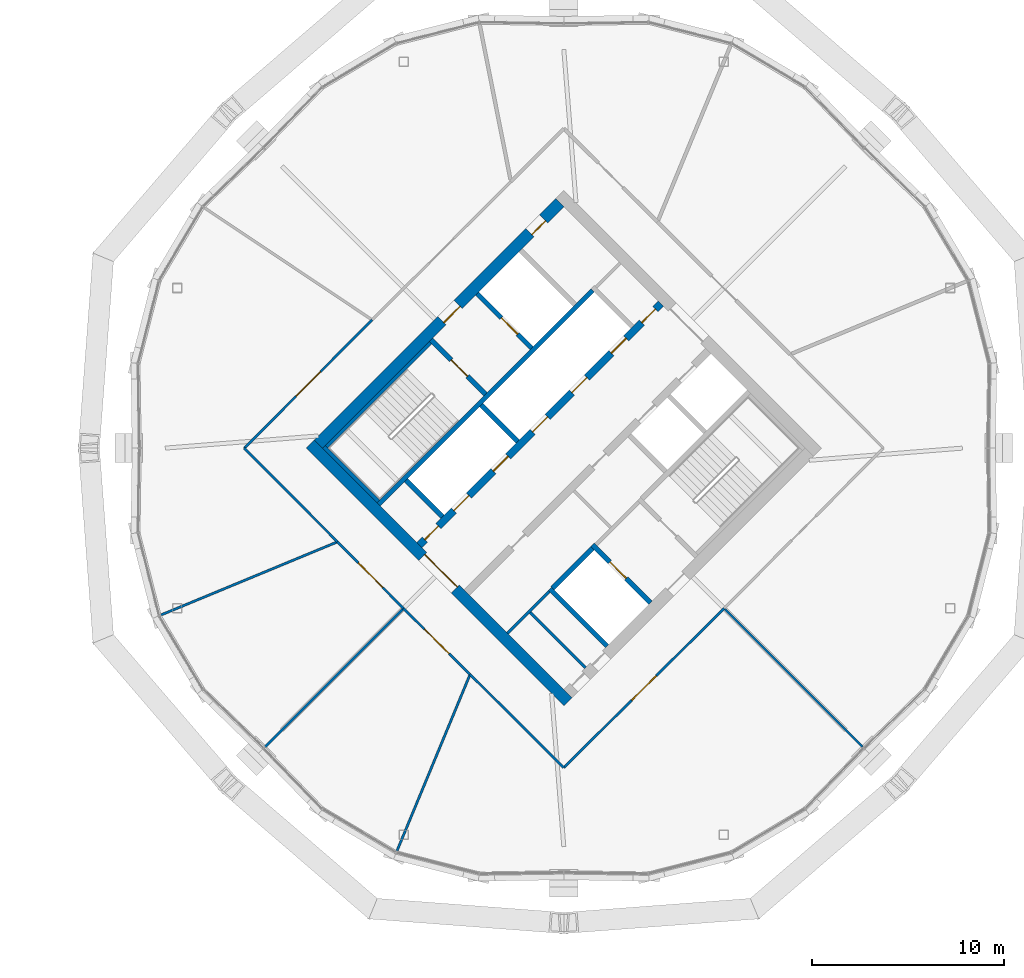
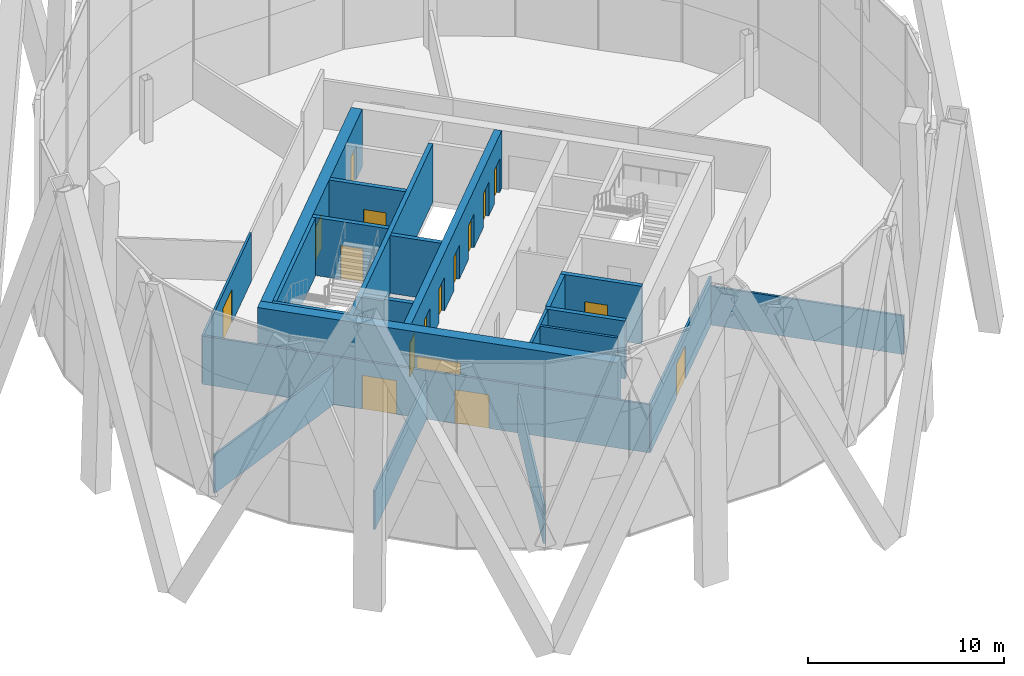
# One storey, part 18 of 23: 25 walls, 17 doors, 17 openings.
"""IFC4 building model written with IfcOpenShell, lengths in metres."""

from ifc_helpers import new_model, si_unit, direction, frame, frame_2d, origin, place, context, subcontext, project, spatial, rectangle, extrude, material, layer, layer_set, type_object, element, fill, save


model = new_model("IFC4")

# Units and contexts
model_context = context("Model", 3, precision=1e-05, world=origin(), true_north=direction((0.0, 1.0)))
body_context = subcontext(model_context, "Body", "Model", "MODEL_VIEW")
ifc_project = project(units=[si_unit("LENGTHUNIT", "METRE"), si_unit("AREAUNIT", "SQUARE_METRE"), si_unit("VOLUMEUNIT", "CUBIC_METRE"), si_unit("PLANEANGLEUNIT", "RADIAN"), si_unit("MASSUNIT", "GRAM", prefix="KILO")], contexts=[model_context])

# Site, building, storey
site_placement = place(None, origin())
site = spatial("IfcSite", under=ifc_project, at=site_placement, CompositionType="ELEMENT")
building_placement = place(site_placement, origin())
building = spatial("IfcBuilding", under=site, at=building_placement, Name="Ogive Gate Towers", CompositionType="ELEMENT")
storey_placement = place(building_placement, frame((0.0, 0.0, 165.60009765625)))
storey = spatial("IfcBuildingStorey", under=building, at=storey_placement, Name="L39", CompositionType="ELEMENT", Elevation=165.60009765625)

# Wall, openings, doors
ifc_material_1 = material(Name="Concrete C60/75", Category="concrete")
ifc_layer_1 = layer(ifc_material_1, 0.60009765625)
ifc_layer_set_1 = layer_set([ifc_layer_1], Name="Core wall 600 mm")
wall_type_1 = type_object("IfcWallType", Name="Core wall 600 mm", PredefinedType="SHEAR", material=ifc_layer_set_1)
wall_1_placement = place(storey_placement, frame((23.201416015625, 0.212158203125, 0.0), z_axis=(0.0, 0.0, 1.0), x_axis=(0.707106781187, 0.707106781187, 0.0)))
wall_1 = element("IfcWall", 1, at=wall_1_placement, inside=storey, type_object=wall_type_1, Name="T2 L39 Core wall 600 mm", PredefinedType="SHEAR", context=body_context, shape_type="SweptSolid", body=[
    extrude(rectangle(XDim=17.7998046875, YDim=0.60009765625, at=frame_2d((8.89990234375, 0.0))), origin(), (0.0, 0.0, 1.0), 3.599853515625),
])
opening_1_placement = place(wall_1_placement, frame((9.10009765625, 0.0, 0.0)))
opening_1 = element("IfcOpeningElement", 2, at=opening_1_placement, cuts=wall_1, Name="Opening KD-T2-L39-18", PredefinedType="OPENING", context=body_context, shape_type="SweptSolid", body=[
    extrude(rectangle(XDim=1.199951171875, YDim=2.10009765625, at=frame_2d((0.60009765625, 1.050048828125))), frame((0.0, 0.31005859375, 0.0), z_axis=(0.0, -1.0, 0.0), x_axis=(1.0, 0.0, 0.0)), (0.0, 0.0, 1.0), 0.6201171875),
])
opening_2_placement = place(wall_1_placement, frame((15.60009765625, 0.0, 0.0)))
opening_2 = element("IfcOpeningElement", 3, at=opening_2_placement, cuts=wall_1, Name="Opening KD-T2-L39-20", PredefinedType="OPENING", context=body_context, shape_type="SweptSolid", body=[
    extrude(rectangle(XDim=1.0, YDim=2.10009765625, at=frame_2d((0.5, 1.050048828125))), frame((0.0, 0.31005859375, 0.0), z_axis=(0.0, -1.0, 0.0), x_axis=(1.0, 0.0, 0.0)), (0.0, 0.0, 1.0), 0.6201171875),
])
ifc_material_2 = material(Name="Timber door", Category="wood")
door_type_1 = type_object("IfcDoorType", Name="Accessible WC door 1000 x 2100", OperationType="NOTDEFINED", PredefinedType="DOOR", material=ifc_material_2)
door_1_placement = place(opening_2_placement, origin())
door_1 = element("IfcDoor", 4, at=door_1_placement, inside=storey, type_object=door_type_1, Name="T2 L39 Core door", OperationType="SINGLE_SWING_LEFT", OverallHeight=2.10009765625, OverallWidth=1.0, PredefinedType="DOOR", context=body_context, shape_type="SweptSolid", body=[
    extrude(rectangle(XDim=1.0, YDim=2.10009765625, at=frame_2d((0.5, 1.050048828125))), frame((0.0, -0.125, 0.0), z_axis=(0.0, -1.0, 0.0), x_axis=(1.0, 0.0, 0.0)), (0.0, 0.0, 1.0), 0.050048828125),
])
fill(opening_2, door_1)
ifc_material_3 = material(Name="Steel fire door", Category="steel")
door_type_2 = type_object("IfcDoorType", Name="Core door FD60S 1200 x 2100", OperationType="NOTDEFINED", PredefinedType="DOOR", material=ifc_material_3)
door_2_placement = place(opening_1_placement, origin())
door_2 = element("IfcDoor", 5, at=door_2_placement, inside=storey, type_object=door_type_2, Name="T2 L39 Fire-fighting lobby door", OperationType="SINGLE_SWING_LEFT", OverallHeight=2.10009765625, OverallWidth=1.199951171875, PredefinedType="DOOR", context=body_context, shape_type="SweptSolid", body=[
    extrude(rectangle(XDim=1.199951171875, YDim=2.10009765625, at=frame_2d((0.60009765625, 1.050048828125))), frame((0.0, -0.125, 0.0), z_axis=(0.0, -1.0, 0.0), x_axis=(1.0, 0.0, 0.0)), (0.0, 0.0, 1.0), 0.050048828125),
])
fill(opening_1, door_2)

# Wall, opening, door
wall_2_placement = place(storey_placement, frame((36.212158203125, -13.222900390625, 0.0), z_axis=(0.0, 0.0, 1.0), x_axis=(-0.707106781187, 0.707106781187, 0.0)))
wall_2 = element("IfcWall", 6, at=wall_2_placement, inside=storey, type_object=wall_type_1, Name="T2 L39 Core wall 600 mm", PredefinedType="SHEAR", context=body_context, shape_type="SweptSolid", body=[
    extrude(rectangle(XDim=19.0, YDim=0.60009765625, at=frame_2d((9.5, 0.0))), origin(), (0.0, 0.0, 1.0), 3.599853515625),
])
opening_3_placement = place(wall_2_placement, frame((8.300048828125, 0.0, 0.0)))
opening_3 = element("IfcOpeningElement", 7, at=opening_3_placement, cuts=wall_2, Name="Opening KD-T2-L39-01", PredefinedType="OPENING", context=body_context, shape_type="SweptSolid", body=[
    extrude(rectangle(XDim=2.39990234375, YDim=2.10009765625, at=frame_2d((1.199951171875, 1.050048828125))), frame((0.0, 0.31005859375, 0.0), z_axis=(0.0, -1.0, 0.0), x_axis=(1.0, 0.0, 0.0)), (0.0, 0.0, 1.0), 0.6201171875),
])
door_type_3 = type_object("IfcDoorType", Name="Core double door FD60S 2400 x 2100", OperationType="DOUBLE_DOOR_SINGLE_SWING", PredefinedType="DOOR", material=ifc_material_3)
door_3_placement = place(opening_3_placement, origin())
door_3 = element("IfcDoor", 8, at=door_3_placement, inside=storey, type_object=door_type_3, Name="T2 L39 Core door double", OperationType="DOUBLE_DOOR_SINGLE_SWING", OverallHeight=2.10009765625, OverallWidth=2.39990234375, PredefinedType="DOOR", context=body_context, shape_type="SweptSolid", body=[
    extrude(rectangle(XDim=2.39990234375, YDim=2.10009765625, at=frame_2d((1.199951171875, 1.050048828125))), frame((0.0, -0.125, 0.0), z_axis=(0.0, -1.0, 0.0), x_axis=(1.0, 0.0, 0.0)), (0.0, 0.0, 1.0), 0.050048828125),
])
fill(opening_3, door_3)

# Walls
ifc_material_4 = material(Name="Gypsum board partition")
ifc_layer_2 = layer(ifc_material_4, 0.125)
ifc_layer_set_2 = layer_set([ifc_layer_2], Name="Partition 125")
wall_type_2 = type_object("IfcWallType", Name="Partition 125", PredefinedType="PARTITIONING", material=ifc_layer_set_2)
wall_3_placement = place(storey_placement, frame((15.000244140625, -8.698486328125, 0.0), z_axis=(0.0, 0.0, 1.0), x_axis=(0.923873408778, 0.382698216031, 0.0)))
element("IfcWall", 9, at=wall_3_placement, inside=storey, type_object=wall_type_2, Name="Partition T2-L39-005", PredefinedType="PARTITIONING", context=body_context, shape_type="SweptSolid", body=[
    extrude(rectangle(XDim=9.896484375, YDim=0.125, at=frame_2d((4.9482421875, 0.0))), origin(), (0.0, 0.0, 1.0), 2.39990234375),
])
wall_4_placement = place(storey_placement, frame((20.423095703125, -15.576904296875, 0.0), z_axis=(0.0, 0.0, 1.0), x_axis=(0.707106781187, 0.707106781187, 0.0)))
element("IfcWall", 10, at=wall_4_placement, inside=storey, type_object=wall_type_2, Name="Partition T2-L39-006", PredefinedType="PARTITIONING", context=body_context, shape_type="SweptSolid", body=[
    extrude(rectangle(XDim=10.146728515625, YDim=0.125, at=frame_2d((5.0732421875, 0.0))), origin(), (0.0, 0.0, 1.0), 2.39990234375),
])
wall_5_placement = place(storey_placement, frame((27.301513671875, -20.999755859375, 0.0), z_axis=(0.0, 0.0, 1.0), x_axis=(0.382698216031, 0.923873408778, 0.0)))
element("IfcWall", 11, at=wall_5_placement, inside=storey, type_object=wall_type_2, Name="Partition T2-L39-007", PredefinedType="PARTITIONING", context=body_context, shape_type="SweptSolid", body=[
    extrude(rectangle(XDim=9.896484375, YDim=0.125, at=frame_2d((4.9482421875, 0.0))), origin(), (0.0, 0.0, 1.0), 2.39990234375),
])
wall_6_placement = place(storey_placement, frame((51.576904296875, -15.576904296875, 0.0), z_axis=(0.0, 0.0, 1.0), x_axis=(-0.707106781187, 0.707106781187, 0.0)))
element("IfcWall", 12, at=wall_6_placement, inside=storey, type_object=wall_type_2, Name="Partition T2-L39-008", PredefinedType="PARTITIONING", context=body_context, shape_type="SweptSolid", body=[
    extrude(rectangle(XDim=10.146728515625, YDim=0.125, at=frame_2d((5.0732421875, 0.0))), origin(), (0.0, 0.0, 1.0), 2.39990234375),
])

# Wall, opening, door
wall_7_placement = place(storey_placement, frame((26.007568359375, 6.681884765625, 0.0), z_axis=(0.0, 0.0, 1.0), x_axis=(-0.706317463053, -0.707895219214, 0.0)))
wall_7 = element("IfcWall", 13, at=wall_7_placement, inside=storey, type_object=wall_type_2, Name="Partition T2-L39-012", PredefinedType="PARTITIONING", context=body_context, shape_type="SweptSolid", body=[
    extrude(rectangle(XDim=9.439208984375, YDim=0.125, at=frame_2d((4.7197265625, 0.0))), origin(), (0.0, 0.0, 1.0), 3.0),
])
opening_4_placement = place(wall_7_placement, frame((3.820068359375, 0.0, 0.0)))
opening_4 = element("IfcOpeningElement", 14, at=opening_4_placement, cuts=wall_7, Name="Opening T2-L39-D03", PredefinedType="OPENING", context=body_context, shape_type="SweptSolid", body=[
    extrude(rectangle(XDim=1.800048828125, YDim=2.10009765625, at=frame_2d((0.89990234375, 1.050048828125))), frame((0.0, 0.072509765625, 0.0), z_axis=(0.0, -1.0, 0.0), x_axis=(1.0, 0.0, 0.0)), (0.0, 0.0, 1.0), 0.14501953125),
])
door_type_4 = type_object("IfcDoorType", Name="Door pair 1800", OperationType="NOTDEFINED", PredefinedType="DOOR", material=ifc_material_2)
door_4_placement = place(opening_4_placement, origin())
door_4 = element("IfcDoor", 15, at=door_4_placement, inside=storey, type_object=door_type_4, Name="Door T2-L39-D03", OperationType="DOUBLE_DOOR_DOUBLE_SWING", OverallHeight=2.10009765625, OverallWidth=1.800048828125, PredefinedType="DOOR", context=body_context, shape_type="SweptSolid", body=[
    extrude(rectangle(XDim=1.800048828125, YDim=2.10009765625, at=frame_2d((0.89990234375, 1.050048828125))), frame((0.0, 0.02490234375, 0.0), z_axis=(0.0, -1.0, 0.0), x_axis=(1.0, 0.0, 0.0)), (0.0, 0.0, 1.0), 0.050048828125),
])
fill(opening_4, door_4)

# Wall
wall_8_placement = place(storey_placement, frame((19.340576171875, 0.0, 0.0), z_axis=(0.0, 0.0, 1.0), x_axis=(0.705173764492, -0.709034527983, 0.0)))
element("IfcWall", 16, at=wall_8_placement, inside=storey, type_object=wall_type_2, Name="Partition T2-L39-013", PredefinedType="PARTITIONING", context=body_context, shape_type="SweptSolid", body=[
    extrude(rectangle(XDim=6.892822265625, YDim=0.125, at=frame_2d((3.4462890625, 0.0))), origin(), (0.0, 0.0, 1.0), 3.0),
])

# Wall, opening, door
wall_9_placement = place(storey_placement, frame((24.201171875, -4.88720703125, 0.0), z_axis=(0.0, 0.0, 1.0), x_axis=(0.70405301557, -0.710147415166, 0.0)))
wall_9 = element("IfcWall", 17, at=wall_9_placement, inside=storey, type_object=wall_type_2, Name="Partition T2-L39-014", PredefinedType="PARTITIONING", context=body_context, shape_type="SweptSolid", body=[
    extrude(rectangle(XDim=4.88720703125, YDim=0.125, at=frame_2d((2.443603515625, 0.0))), origin(), (0.0, 0.0, 1.0), 3.0),
])
opening_5_placement = place(wall_9_placement, frame((1.5439453125, 0.0, 0.0)))
opening_5 = element("IfcOpeningElement", 18, at=opening_5_placement, cuts=wall_9, Name="Opening T2-L39-D04", PredefinedType="OPENING", context=body_context, shape_type="SweptSolid", body=[
    extrude(rectangle(XDim=1.800048828125, YDim=2.10009765625, at=frame_2d((0.89990234375, 1.050048828125))), frame((0.0, 0.072509765625, 0.0), z_axis=(0.0, -1.0, 0.0), x_axis=(1.0, 0.0, 0.0)), (0.0, 0.0, 1.0), 0.14501953125),
])
door_5_placement = place(opening_5_placement, origin())
door_5 = element("IfcDoor", 19, at=door_5_placement, inside=storey, type_object=door_type_4, Name="Door T2-L39-D04", OperationType="DOUBLE_DOOR_DOUBLE_SWING", OverallHeight=2.10009765625, OverallWidth=1.800048828125, PredefinedType="DOOR", context=body_context, shape_type="SweptSolid", body=[
    extrude(rectangle(XDim=1.800048828125, YDim=2.10009765625, at=frame_2d((0.89990234375, 1.050048828125))), frame((0.0, 0.02490234375, 0.0), z_axis=(0.0, -1.0, 0.0), x_axis=(1.0, 0.0, 0.0)), (0.0, 0.0, 1.0), 0.050048828125),
])
fill(opening_5, door_5)

wall_10_placement = place(storey_placement, frame((27.64208984375, -8.35791015625, 0.0), z_axis=(0.0, 0.0, 1.0), x_axis=(0.710147415166, -0.70405301557, 0.0)))
wall_10 = element("IfcWall", 20, at=wall_10_placement, inside=storey, type_object=wall_type_2, Name="Partition T2-L39-015", PredefinedType="PARTITIONING", context=body_context, shape_type="SweptSolid", body=[
    extrude(rectangle(XDim=4.88720703125, YDim=0.125, at=frame_2d((2.443603515625, 0.0))), origin(), (0.0, 0.0, 1.0), 3.0),
])
opening_6_placement = place(wall_10_placement, frame((1.5439453125, 0.0, 0.0)))
opening_6 = element("IfcOpeningElement", 21, at=opening_6_placement, cuts=wall_10, Name="Opening T2-L39-D05", PredefinedType="OPENING", context=body_context, shape_type="SweptSolid", body=[
    extrude(rectangle(XDim=1.800048828125, YDim=2.10009765625, at=frame_2d((0.89990234375, 1.050048828125))), frame((0.0, 0.072509765625, 0.0), z_axis=(0.0, -1.0, 0.0), x_axis=(1.0, 0.0, 0.0)), (0.0, 0.0, 1.0), 0.14501953125),
])
door_6_placement = place(opening_6_placement, origin())
door_6 = element("IfcDoor", 22, at=door_6_placement, inside=storey, type_object=door_type_4, Name="Door T2-L39-D05", OperationType="DOUBLE_DOOR_DOUBLE_SWING", OverallHeight=2.10009765625, OverallWidth=1.800048828125, PredefinedType="DOOR", context=body_context, shape_type="SweptSolid", body=[
    extrude(rectangle(XDim=1.800048828125, YDim=2.10009765625, at=frame_2d((0.89990234375, 1.050048828125))), frame((0.0, 0.02490234375, 0.0), z_axis=(0.0, -1.0, 0.0), x_axis=(1.0, 0.0, 0.0)), (0.0, 0.0, 1.0), 0.050048828125),
])
fill(opening_6, door_6)

wall_11_placement = place(storey_placement, frame((36.0, -16.659423828125, 0.0), z_axis=(0.0, 0.0, 1.0), x_axis=(0.709496456229, 0.70470900278, 0.0)))
wall_11 = element("IfcWall", 23, at=wall_11_placement, inside=storey, type_object=wall_type_2, Name="Partition T2-L39-016", PredefinedType="PARTITIONING", context=body_context, shape_type="SweptSolid", body=[
    extrude(rectangle(XDim=11.780029296875, YDim=0.125, at=frame_2d((5.89013671875, 0.0))), origin(), (0.0, 0.0, 1.0), 3.0),
])
opening_7_placement = place(wall_11_placement, frame((4.989990234375, 0.0, 0.0)))
opening_7 = element("IfcOpeningElement", 24, at=opening_7_placement, cuts=wall_11, Name="Opening T2-L39-D06", PredefinedType="OPENING", context=body_context, shape_type="SweptSolid", body=[
    extrude(rectangle(XDim=1.800048828125, YDim=2.10009765625, at=frame_2d((0.89990234375, 1.050048828125))), frame((0.0, 0.072509765625, 0.0), z_axis=(0.0, -1.0, 0.0), x_axis=(1.0, 0.0, 0.0)), (0.0, 0.0, 1.0), 0.14501953125),
])
door_7_placement = place(opening_7_placement, origin())
door_7 = element("IfcDoor", 25, at=door_7_placement, inside=storey, type_object=door_type_4, Name="Door T2-L39-D06", OperationType="DOUBLE_DOOR_DOUBLE_SWING", OverallHeight=2.10009765625, OverallWidth=1.800048828125, PredefinedType="DOOR", context=body_context, shape_type="SweptSolid", body=[
    extrude(rectangle(XDim=1.800048828125, YDim=2.10009765625, at=frame_2d((0.89990234375, 1.050048828125))), frame((0.0, 0.02490234375, 0.0), z_axis=(0.0, -1.0, 0.0), x_axis=(1.0, 0.0, 0.0)), (0.0, 0.0, 1.0), 0.050048828125),
])
fill(opening_7, door_7)

# Walls
wall_12_placement = place(storey_placement, frame((31.11279296875, -11.798828125, 0.0), z_axis=(0.0, 0.0, 1.0), x_axis=(0.709034527983, -0.705173764492, 0.0)))
element("IfcWall", 26, at=wall_12_placement, inside=storey, type_object=wall_type_2, Name="Partition T2-L39-017", PredefinedType="PARTITIONING", context=body_context, shape_type="SweptSolid", body=[
    extrude(rectangle(XDim=6.892822265625, YDim=0.125, at=frame_2d((3.4462890625, 0.0))), origin(), (0.0, 0.0, 1.0), 3.0),
])
ifc_layer_3 = layer(ifc_material_4, 0.14990234375)
ifc_layer_set_3 = layer_set([ifc_layer_3], Name="Room partition 150 mm")
wall_type_3 = type_object("IfcWallType", Name="Room partition 150 mm", PredefinedType="PARTITIONING", material=ifc_layer_set_3)
wall_13_placement = place(storey_placement, frame((33.0654296875, -9.652099609375, 0.0), z_axis=(0.0, 0.0, 1.0), x_axis=(0.707146476181, 0.707067083964, 0.0)))
element("IfcWall", 27, at=wall_13_placement, inside=storey, type_object=wall_type_3, Name="T2 L39 Room partition 150 mm", PredefinedType="PARTITIONING", context=body_context, shape_type="SweptSolid", body=[
    extrude(rectangle(XDim=3.0751953125, YDim=0.14990234375, at=frame_2d((1.53759765625, 0.0))), origin(), (0.0, 0.0, 1.0), 3.599853515625),
])
wall_14_placement = place(storey_placement, frame((37.13134765625, -11.455078125, 0.0), z_axis=(0.0, 0.0, 1.0), x_axis=(-0.707106781187, 0.707106781187, 0.0)))
element("IfcWall", 28, at=wall_14_placement, inside=storey, type_object=wall_type_3, Name="T2 L39 Room partition 150 mm", PredefinedType="PARTITIONING", context=body_context, shape_type="SweptSolid", body=[
    extrude(rectangle(XDim=4.074951171875, YDim=0.14990234375, at=frame_2d((2.03759765625, 0.0))), origin(), (0.0, 0.0, 1.0), 3.599853515625),
])
ifc_layer_4 = layer(ifc_material_1, 0.25)
ifc_layer_set_4 = layer_set([ifc_layer_4], Name="Shaft wall 250 mm")
wall_type_4 = type_object("IfcWallType", Name="Shaft wall 250 mm", PredefinedType="SHEAR", material=ifc_layer_set_4)
wall_15_placement = place(storey_placement, frame((35.41650390625, -7.30078125, 0.0), z_axis=(0.0, 0.0, 1.0), x_axis=(0.707148157867, 0.707065402085, 0.0)))
element("IfcWall", 29, at=wall_15_placement, inside=storey, type_object=wall_type_4, Name="T2 L39 Shaft wall 250 mm", PredefinedType="SHEAR", context=body_context, shape_type="SweptSolid", body=[
    extrude(rectangle(XDim=2.9501953125, YDim=0.25, at=frame_2d((1.47509765625, 0.0))), origin(), (0.0, 0.0, 1.0), 3.599853515625),
])
wall_16_placement = place(storey_placement, frame((26.347900390625, -2.9345703125, 0.0), z_axis=(0.0, 0.0, 1.0), x_axis=(0.707106781187, 0.707106781187, 0.0)))
element("IfcWall", 30, at=wall_16_placement, inside=storey, type_object=wall_type_4, Name="T2 L39 Shaft wall 250 mm", PredefinedType="SHEAR", context=body_context, shape_type="SweptSolid", body=[
    extrude(rectangle(XDim=15.775146484375, YDim=0.25, at=frame_2d((7.8876953125, 0.0))), origin(), (0.0, 0.0, 1.0), 3.599853515625),
])
wall_17_placement = place(storey_placement, frame((29.67138671875, -3.57080078125, 0.0), z_axis=(0.0, 0.0, 1.0), x_axis=(-0.707152414227, 0.707061145201, 0.0)))
element("IfcWall", 31, at=wall_17_placement, inside=storey, type_object=wall_type_4, Name="T2 L39 Shaft wall 250 mm", PredefinedType="SHEAR", context=body_context, shape_type="SweptSolid", body=[
    extrude(rectangle(XDim=2.675048828125, YDim=0.25, at=frame_2d((1.33740234375, 0.0))), origin(), (0.0, 0.0, 1.0), 3.599853515625),
])
wall_18_placement = place(storey_placement, frame((38.2626953125, -10.32373046875, 0.0), z_axis=(0.0, 0.0, 1.0), x_axis=(-0.707106781187, 0.707106781187, 0.0)))
element("IfcWall", 32, at=wall_18_placement, inside=storey, type_object=wall_type_4, Name="T2 L39 Shaft wall 250 mm", PredefinedType="SHEAR", context=body_context, shape_type="SweptSolid", body=[
    extrude(rectangle(XDim=4.22509765625, YDim=0.25, at=frame_2d((2.112548828125, 0.0))), origin(), (0.0, 0.0, 1.0), 3.599853515625),
])

# Wall, opening, door
wall_19_placement = place(storey_placement, frame((40.525390625, -8.06103515625, 0.0), z_axis=(0.0, 0.0, 1.0), x_axis=(-0.707078225638, 0.707135335582, 0.0)))
wall_19 = element("IfcWall", 33, at=wall_19_placement, inside=storey, type_object=wall_type_4, Name="T2 L39 Shaft wall 250 mm", PredefinedType="SHEAR", context=body_context, shape_type="SweptSolid", body=[
    extrude(rectangle(XDim=4.27490234375, YDim=0.25, at=frame_2d((2.137451171875, 0.0))), origin(), (0.0, 0.0, 1.0), 3.599853515625),
])
opening_8_placement = place(wall_19_placement, frame((1.800048828125, 0.0, 0.0)))
opening_8 = element("IfcOpeningElement", 34, at=opening_8_placement, cuts=wall_19, Name="Opening LD-T2-L39-13", PredefinedType="OPENING", context=body_context, shape_type="SweptSolid", body=[
    extrude(rectangle(XDim=1.199951171875, YDim=2.10009765625, at=frame_2d((0.60009765625, 1.050048828125))), frame((0.0, 0.135009765625, 0.0), z_axis=(0.0, -1.0, 0.0), x_axis=(1.0, 0.0, 0.0)), (0.0, 0.0, 1.0), 0.27001953125),
])
ifc_material_5 = material(Name="Stainless steel landing door", Category="steel")
door_type_5 = type_object("IfcDoorType", Name="Landing door 1200 x 2100", OperationType="SLIDING_TO_LEFT", PredefinedType="DOOR", material=ifc_material_5)
door_8_placement = place(opening_8_placement, origin())
door_8 = element("IfcDoor", 35, at=door_8_placement, inside=storey, type_object=door_type_5, Name="T2 L39 Lift landing door FF2", OperationType="SLIDING_TO_LEFT", OverallHeight=2.10009765625, OverallWidth=1.199951171875, PredefinedType="DOOR", context=body_context, shape_type="SweptSolid", body=[
    extrude(rectangle(XDim=1.199951171875, YDim=2.10009765625, at=frame_2d((0.60009765625, 1.050048828125))), frame((0.0, 0.02490234375, 0.0), z_axis=(0.0, -1.0, 0.0), x_axis=(1.0, 0.0, 0.0)), (0.0, 0.0, 1.0), 0.050048828125),
])
fill(opening_8, door_8)

# Wall
wall_20_placement = place(storey_placement, frame((33.595703125, 0.353515625, 0.0), z_axis=(0.0, 0.0, 1.0), x_axis=(-0.707061145201, 0.707152414227, 0.0)))
element("IfcWall", 36, at=wall_20_placement, inside=storey, type_object=wall_type_4, Name="T2 L39 Shaft wall 250 mm", PredefinedType="SHEAR", context=body_context, shape_type="SweptSolid", body=[
    extrude(rectangle(XDim=2.675048828125, YDim=0.25, at=frame_2d((1.33740234375, 0.0))), origin(), (0.0, 0.0, 1.0), 3.599853515625),
])

# Wall, opening, door
wall_21_placement = place(storey_placement, frame((31.91650390625, 2.810791015625, 0.0), z_axis=(0.0, 0.0, 1.0), x_axis=(-0.707106781187, 0.707106781187, 0.0)))
wall_21 = element("IfcWall", 37, at=wall_21_placement, inside=storey, type_object=wall_type_4, Name="T2 L39 Shaft wall 250 mm", PredefinedType="SHEAR", context=body_context, shape_type="SweptSolid", body=[
    extrude(rectangle(XDim=4.025146484375, YDim=0.25, at=frame_2d((2.0126953125, 0.0))), origin(), (0.0, 0.0, 1.0), 3.599853515625),
])
opening_9_placement = place(wall_21_placement, frame((1.324951171875, 0.0, 0.0)))
opening_9 = element("IfcOpeningElement", 38, at=opening_9_placement, cuts=wall_21, Name="Opening KD-T2-L39-16", PredefinedType="OPENING", context=body_context, shape_type="SweptSolid", body=[
    extrude(rectangle(XDim=1.199951171875, YDim=2.10009765625, at=frame_2d((0.60009765625, 1.050048828125))), frame((0.0, 0.135009765625, 0.0), z_axis=(0.0, -1.0, 0.0), x_axis=(1.0, 0.0, 0.0)), (0.0, 0.0, 1.0), 0.27001953125),
])
door_9_placement = place(opening_9_placement, origin())
door_9 = element("IfcDoor", 39, at=door_9_placement, inside=storey, type_object=door_type_2, Name="T2 L39 Stair door", OperationType="SINGLE_SWING_LEFT", OverallHeight=2.10009765625, OverallWidth=1.199951171875, PredefinedType="DOOR", context=body_context, shape_type="SweptSolid", body=[
    extrude(rectangle(XDim=1.199951171875, YDim=2.10009765625, at=frame_2d((0.60009765625, 1.050048828125))), frame((0.0, 0.02490234375, 0.0), z_axis=(0.0, -1.0, 0.0), x_axis=(1.0, 0.0, 0.0)), (0.0, 0.0, 1.0), 0.050048828125),
])
fill(opening_9, door_9)

wall_22_placement = place(storey_placement, frame((34.320556640625, 5.21484375, 0.0), z_axis=(0.0, 0.0, 1.0), x_axis=(-0.70707645213, 0.707137108942, 0.0)))
wall_22 = element("IfcWall", 40, at=wall_22_placement, inside=storey, type_object=wall_type_4, Name="T2 L39 Shaft wall 250 mm", PredefinedType="SHEAR", context=body_context, shape_type="SweptSolid", body=[
    extrude(rectangle(XDim=4.02490234375, YDim=0.25, at=frame_2d((2.012451171875, 0.0))), origin(), (0.0, 0.0, 1.0), 3.599853515625),
])
opening_10_placement = place(wall_22_placement, frame((1.02490234375, 0.0, 0.0)))
opening_10 = element("IfcOpeningElement", 41, at=opening_10_placement, cuts=wall_22, Name="Opening LD-T2-L39-12", PredefinedType="OPENING", context=body_context, shape_type="SweptSolid", body=[
    extrude(rectangle(XDim=1.199951171875, YDim=2.10009765625, at=frame_2d((0.60009765625, 1.050048828125))), frame((0.0, 0.135009765625, 0.0), z_axis=(0.0, -1.0, 0.0), x_axis=(1.0, 0.0, 0.0)), (0.0, 0.0, 1.0), 0.27001953125),
])
door_10_placement = place(opening_10_placement, origin())
door_10 = element("IfcDoor", 42, at=door_10_placement, inside=storey, type_object=door_type_5, Name="T2 L39 Lift landing door FF1", OperationType="SLIDING_TO_LEFT", OverallHeight=2.10009765625, OverallWidth=1.199951171875, PredefinedType="DOOR", context=body_context, shape_type="SweptSolid", body=[
    extrude(rectangle(XDim=1.199951171875, YDim=2.10009765625, at=frame_2d((0.60009765625, 1.050048828125))), frame((0.0, 0.02490234375, 0.0), z_axis=(0.0, -1.0, 0.0), x_axis=(1.0, 0.0, 0.0)), (0.0, 0.0, 1.0), 0.050048828125),
])
fill(opening_10, door_10)

# Wall, openings, doors
ifc_layer_5 = layer(ifc_material_1, 0.39990234375)
ifc_layer_set_5 = layer_set([ifc_layer_5], Name="Spine wall 400 mm")
wall_type_5 = type_object("IfcWallType", Name="Spine wall 400 mm", PredefinedType="SHEAR", material=ifc_layer_set_5)
wall_23_placement = place(storey_placement, frame((28.46923828125, -5.055908203125, 0.0), z_axis=(0.0, 0.0, 1.0), x_axis=(0.707106781187, 0.707106781187, 0.0)))
wall_23 = element("IfcWall", 43, at=wall_23_placement, inside=storey, type_object=wall_type_5, Name="T2 L39 Spine wall 400 mm", PredefinedType="SHEAR", context=body_context, shape_type="SweptSolid", body=[
    extrude(rectangle(XDim=17.80029296875, YDim=0.39990234375, at=frame_2d((8.900146484375, 0.0))), origin(), (0.0, 0.0, 1.0), 3.599853515625),
])
opening_11_placement = place(wall_23_placement, frame((0.39990234375, 0.0, 0.0)))
opening_11 = element("IfcOpeningElement", 44, at=opening_11_placement, cuts=wall_23, Name="Opening KD-T2-L39-03", PredefinedType="OPENING", context=body_context, shape_type="SweptSolid", body=[
    extrude(rectangle(XDim=1.0, YDim=2.10009765625, at=frame_2d((0.5, 1.050048828125))), frame((0.0, 0.2099609375, 0.0), z_axis=(0.0, -1.0, 0.0), x_axis=(1.0, 0.0, 0.0)), (0.0, 0.0, 1.0), 0.419921875),
])
opening_12_placement = place(wall_23_placement, frame((2.550048828125, 0.0, 0.0)))
opening_12 = element("IfcOpeningElement", 45, at=opening_12_placement, cuts=wall_23, Name="Opening LD-T2-L39-04", PredefinedType="OPENING", context=body_context, shape_type="SweptSolid", body=[
    extrude(rectangle(XDim=1.10009765625, YDim=2.10009765625, at=frame_2d((0.550048828125, 1.050048828125))), frame((0.0, 0.2099609375, 0.0), z_axis=(0.0, -1.0, 0.0), x_axis=(1.0, 0.0, 0.0)), (0.0, 0.0, 1.0), 0.419921875),
])
opening_13_placement = place(wall_23_placement, frame((5.449951171875, 0.0, 0.0)))
opening_13 = element("IfcOpeningElement", 46, at=opening_13_placement, cuts=wall_23, Name="Opening LD-T2-L39-05", PredefinedType="OPENING", context=body_context, shape_type="SweptSolid", body=[
    extrude(rectangle(XDim=1.10009765625, YDim=2.10009765625, at=frame_2d((0.550048828125, 1.050048828125))), frame((0.0, 0.2099609375, 0.0), z_axis=(0.0, -1.0, 0.0), x_axis=(1.0, 0.0, 0.0)), (0.0, 0.0, 1.0), 0.419921875),
])
opening_14_placement = place(wall_23_placement, frame((8.35009765625, 0.0, 0.0)))
opening_14 = element("IfcOpeningElement", 47, at=opening_14_placement, cuts=wall_23, Name="Opening LD-T2-L39-06", PredefinedType="OPENING", context=body_context, shape_type="SweptSolid", body=[
    extrude(rectangle(XDim=1.10009765625, YDim=2.10009765625, at=frame_2d((0.550048828125, 1.050048828125))), frame((0.0, 0.2099609375, 0.0), z_axis=(0.0, -1.0, 0.0), x_axis=(1.0, 0.0, 0.0)), (0.0, 0.0, 1.0), 0.419921875),
])
opening_15_placement = place(wall_23_placement, frame((11.25, 0.0, 0.0)))
opening_15 = element("IfcOpeningElement", 48, at=opening_15_placement, cuts=wall_23, Name="Opening LD-T2-L39-07", PredefinedType="OPENING", context=body_context, shape_type="SweptSolid", body=[
    extrude(rectangle(XDim=1.10009765625, YDim=2.10009765625, at=frame_2d((0.550048828125, 1.050048828125))), frame((0.0, 0.2099609375, 0.0), z_axis=(0.0, -1.0, 0.0), x_axis=(1.0, 0.0, 0.0)), (0.0, 0.0, 1.0), 0.419921875),
])
opening_16_placement = place(wall_23_placement, frame((14.14990234375, 0.0, 0.0)))
opening_16 = element("IfcOpeningElement", 49, at=opening_16_placement, cuts=wall_23, Name="Opening LD-T2-L39-08", PredefinedType="OPENING", context=body_context, shape_type="SweptSolid", body=[
    extrude(rectangle(XDim=1.10009765625, YDim=2.10009765625, at=frame_2d((0.550048828125, 1.050048828125))), frame((0.0, 0.2099609375, 0.0), z_axis=(0.0, -1.0, 0.0), x_axis=(1.0, 0.0, 0.0)), (0.0, 0.0, 1.0), 0.419921875),
])
opening_17_placement = place(wall_23_placement, frame((16.39990234375, 0.0, 0.0)))
opening_17 = element("IfcOpeningElement", 50, at=opening_17_placement, cuts=wall_23, Name="Opening KD-T2-L39-09", PredefinedType="OPENING", context=body_context, shape_type="SweptSolid", body=[
    extrude(rectangle(XDim=1.0, YDim=2.10009765625, at=frame_2d((0.5, 1.050048828125))), frame((0.0, 0.2099609375, 0.0), z_axis=(0.0, -1.0, 0.0), x_axis=(1.0, 0.0, 0.0)), (0.0, 0.0, 1.0), 0.419921875),
])
door_type_6 = type_object("IfcDoorType", Name="Core door FD60S 1000 x 2100", OperationType="NOTDEFINED", PredefinedType="DOOR", material=ifc_material_3)
door_11_placement = place(opening_11_placement, origin())
door_11 = element("IfcDoor", 51, at=door_11_placement, inside=storey, type_object=door_type_6, Name="T2 L39 Core door", OperationType="SINGLE_SWING_RIGHT", OverallHeight=2.10009765625, OverallWidth=1.0, PredefinedType="DOOR", context=body_context, shape_type="SweptSolid", body=[
    extrude(rectangle(XDim=1.0, YDim=2.10009765625, at=frame_2d((0.5, 1.050048828125))), frame((0.0, 0.02490234375, 0.0), z_axis=(0.0, -1.0, 0.0), x_axis=(1.0, 0.0, 0.0)), (0.0, 0.0, 1.0), 0.050048828125),
])
fill(opening_11, door_11)
door_12_placement = place(opening_17_placement, origin())
door_12 = element("IfcDoor", 52, at=door_12_placement, inside=storey, type_object=door_type_6, Name="T2 L39 Core door", OperationType="SINGLE_SWING_RIGHT", OverallHeight=2.10009765625, OverallWidth=1.0, PredefinedType="DOOR", context=body_context, shape_type="SweptSolid", body=[
    extrude(rectangle(XDim=1.0, YDim=2.10009765625, at=frame_2d((0.5, 1.050048828125))), frame((0.0, 0.02490234375, 0.0), z_axis=(0.0, -1.0, 0.0), x_axis=(1.0, 0.0, 0.0)), (0.0, 0.0, 1.0), 0.050048828125),
])
fill(opening_17, door_12)
door_type_7 = type_object("IfcDoorType", Name="Landing door 1100 x 2100", OperationType="SLIDING_TO_LEFT", PredefinedType="DOOR", material=ifc_material_5)
door_13_placement = place(opening_12_placement, origin())
door_13 = element("IfcDoor", 53, at=door_13_placement, inside=storey, type_object=door_type_7, Name="T2 L39 Lift landing door B1", OperationType="SLIDING_TO_LEFT", OverallHeight=2.10009765625, OverallWidth=1.10009765625, PredefinedType="DOOR", context=body_context, shape_type="SweptSolid", body=[
    extrude(rectangle(XDim=1.10009765625, YDim=2.10009765625, at=frame_2d((0.550048828125, 1.050048828125))), frame((0.0, 0.02490234375, 0.0), z_axis=(0.0, -1.0, 0.0), x_axis=(1.0, 0.0, 0.0)), (0.0, 0.0, 1.0), 0.050048828125),
])
fill(opening_12, door_13)
door_14_placement = place(opening_13_placement, origin())
door_14 = element("IfcDoor", 54, at=door_14_placement, inside=storey, type_object=door_type_7, Name="T2 L39 Lift landing door B2", OperationType="SLIDING_TO_LEFT", OverallHeight=2.10009765625, OverallWidth=1.10009765625, PredefinedType="DOOR", context=body_context, shape_type="SweptSolid", body=[
    extrude(rectangle(XDim=1.10009765625, YDim=2.10009765625, at=frame_2d((0.550048828125, 1.050048828125))), frame((0.0, 0.02490234375, 0.0), z_axis=(0.0, -1.0, 0.0), x_axis=(1.0, 0.0, 0.0)), (0.0, 0.0, 1.0), 0.050048828125),
])
fill(opening_13, door_14)
door_15_placement = place(opening_14_placement, origin())
door_15 = element("IfcDoor", 55, at=door_15_placement, inside=storey, type_object=door_type_7, Name="T2 L39 Lift landing door B3", OperationType="SLIDING_TO_LEFT", OverallHeight=2.10009765625, OverallWidth=1.10009765625, PredefinedType="DOOR", context=body_context, shape_type="SweptSolid", body=[
    extrude(rectangle(XDim=1.10009765625, YDim=2.10009765625, at=frame_2d((0.550048828125, 1.050048828125))), frame((0.0, 0.02490234375, 0.0), z_axis=(0.0, -1.0, 0.0), x_axis=(1.0, 0.0, 0.0)), (0.0, 0.0, 1.0), 0.050048828125),
])
fill(opening_14, door_15)
door_16_placement = place(opening_15_placement, origin())
door_16 = element("IfcDoor", 56, at=door_16_placement, inside=storey, type_object=door_type_7, Name="T2 L39 Lift landing door B4", OperationType="SLIDING_TO_LEFT", OverallHeight=2.10009765625, OverallWidth=1.10009765625, PredefinedType="DOOR", context=body_context, shape_type="SweptSolid", body=[
    extrude(rectangle(XDim=1.10009765625, YDim=2.10009765625, at=frame_2d((0.550048828125, 1.050048828125))), frame((0.0, 0.02490234375, 0.0), z_axis=(0.0, -1.0, 0.0), x_axis=(1.0, 0.0, 0.0)), (0.0, 0.0, 1.0), 0.050048828125),
])
fill(opening_15, door_16)
door_17_placement = place(opening_16_placement, origin())
door_17 = element("IfcDoor", 57, at=door_17_placement, inside=storey, type_object=door_type_7, Name="T2 L39 Lift landing door B5", OperationType="SLIDING_TO_LEFT", OverallHeight=2.10009765625, OverallWidth=1.10009765625, PredefinedType="DOOR", context=body_context, shape_type="SweptSolid", body=[
    extrude(rectangle(XDim=1.10009765625, YDim=2.10009765625, at=frame_2d((0.550048828125, 1.050048828125))), frame((0.0, 0.02490234375, 0.0), z_axis=(0.0, -1.0, 0.0), x_axis=(1.0, 0.0, 0.0)), (0.0, 0.0, 1.0), 0.050048828125),
])
fill(opening_16, door_17)

# Walls
ifc_layer_6 = layer(ifc_material_1, 0.199951171875)
ifc_layer_set_6 = layer_set([ifc_layer_6], Name="Stair wall 200 mm")
wall_type_6 = type_object("IfcWallType", Name="Stair wall 200 mm", PredefinedType="SHEAR", material=ifc_layer_set_6)
wall_24_placement = place(storey_placement, frame((23.62548828125, 0.07080078125, 0.0), z_axis=(0.0, 0.0, 1.0), x_axis=(0.707122685701, 0.707090876314, 0.0)))
element("IfcWall", 58, at=wall_24_placement, inside=storey, type_object=wall_type_6, Name="T2 L39 Stair wall 200 mm", PredefinedType="SHEAR", context=body_context, shape_type="SweptSolid", body=[
    extrude(rectangle(XDim=7.675048828125, YDim=0.199951171875, at=frame_2d((3.83740234375, 0.0))), origin(), (0.0, 0.0, 1.0), 3.599853515625),
])
wall_25_placement = place(storey_placement, frame((26.330322265625, -2.775390625, 0.0), z_axis=(0.0, 0.0, 1.0), x_axis=(-0.707106781187, 0.707106781187, 0.0)))
element("IfcWall", 59, at=wall_25_placement, inside=storey, type_object=wall_type_6, Name="T2 L39 Stair wall 200 mm", PredefinedType="SHEAR", context=body_context, shape_type="SweptSolid", body=[
    extrude(rectangle(XDim=4.025146484375, YDim=0.199951171875, at=frame_2d((2.0126953125, 0.0))), origin(), (0.0, 0.0, 1.0), 3.599853515625),
])

save(model, "model.ifc")
